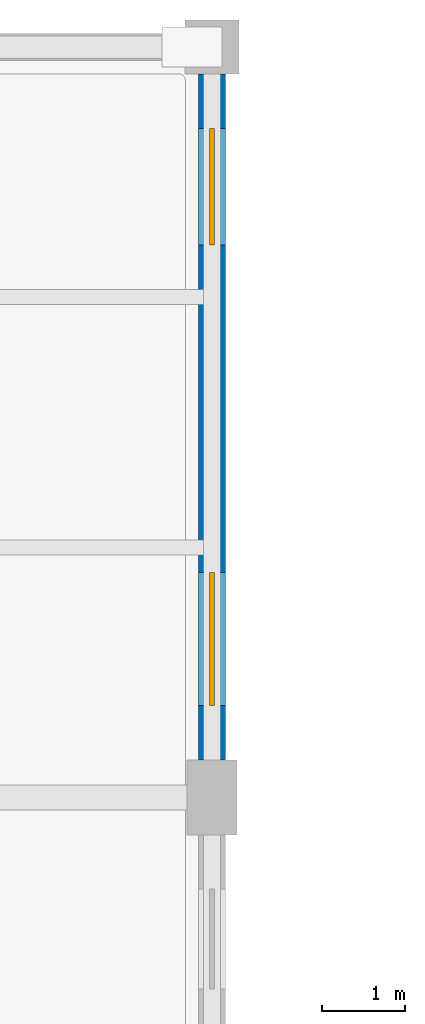
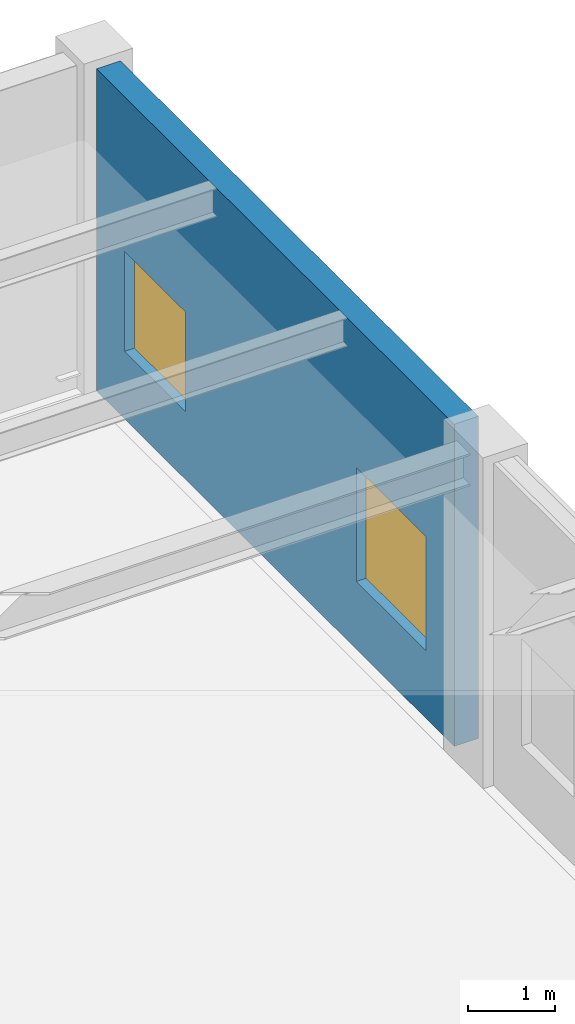
# One storey, part 55 of 72: 2 windows, 1 wall, 2 openings.
"""IFC4 building model written with IfcOpenShell, lengths in metres."""

from ifc_helpers import new_model, si_unit, direction, frame, frame_2d, origin, place, context, subcontext, project, spatial, rectangle, extrude, material, layer, layer_set, type_object, element, fill, save


model = new_model("IFC4")

# Units and contexts
model_context = context("Model", 3, precision=1e-05, world=origin(), true_north=direction((0.0, 1.0)))
body_context = subcontext(model_context, "Body", "Model", "MODEL_VIEW")
ifc_project = project(units=[si_unit("LENGTHUNIT", "METRE"), si_unit("AREAUNIT", "SQUARE_METRE"), si_unit("VOLUMEUNIT", "CUBIC_METRE"), si_unit("PLANEANGLEUNIT", "RADIAN"), si_unit("MASSUNIT", "GRAM", prefix="KILO")], contexts=[model_context])

# Site, building, storey
site_placement = place(None, origin())
site = spatial("IfcSite", under=ifc_project, at=site_placement, CompositionType="ELEMENT")
building_placement = place(site_placement, origin())
building = spatial("IfcBuilding", under=site, at=building_placement, Name="Keelwater Ferry Terminal", CompositionType="ELEMENT")
storey_placement = place(building_placement, frame((0.0, 0.0, 5.39990234375)))
storey = spatial("IfcBuildingStorey", under=building, at=storey_placement, Name="L01", CompositionType="ELEMENT", Elevation=5.39990234375)

# Wall, openings, windows
ifc_material_1 = material(Name="Precast concrete C40/50", Category="concrete")
ifc_layer = layer(ifc_material_1, 0.320068359375)
ifc_layer_set = layer_set([ifc_layer], Name="Precast concrete C40/50")
wall_type = type_object("IfcWallType", Name="EW-TC320 External Solid Wall 320", PredefinedType="SOLIDWALL", material=ifc_layer_set)
wall_placement = place(storey_placement, frame((180.0, 117.449951171875, 0.0), z_axis=(0.0, 0.0, 1.0), x_axis=(0.0, 1.0, 0.0)))
wall = element("IfcWall", 1, at=wall_placement, inside=storey, type_object=wall_type, Name="External Wall WL-L01-0086", PredefinedType="SOLIDWALL", context=body_context, shape_type="SweptSolid", body=[
    extrude(rectangle(XDim=8.22509765625, YDim=0.320068359375, at=frame_2d((4.112548828125, 0.0))), origin(), (0.0, 0.0, 1.0), 4.52001953125),
])
opening_1_placement = place(wall_placement, frame((0.64990234375, 0.0, 0.949951171875)))
opening_1 = element("IfcOpeningElement", 2, at=opening_1_placement, cuts=wall, Name="Opening WN-15", PredefinedType="OPENING", context=body_context, shape_type="SweptSolid", body=[
    extrude(rectangle(XDim=1.60009765625, YDim=1.60009765625, at=frame_2d((0.800048828125, 0.800048828125))), frame((0.0, 0.170166015625, 0.0), z_axis=(0.0, -1.0, 0.0), x_axis=(1.0, 0.0, 0.0)), (0.0, 0.0, 1.0), 0.340087890625),
])
opening_2_placement = place(wall_placement, frame((6.175048828125, 0.0, 0.949951171875)))
opening_2 = element("IfcOpeningElement", 3, at=opening_2_placement, cuts=wall, Name="Opening WN-16", PredefinedType="OPENING", context=body_context, shape_type="SweptSolid", body=[
    extrude(rectangle(XDim=1.39990234375, YDim=1.39990234375, at=frame_2d((0.699951171875, 0.699951171875))), frame((0.0, 0.170166015625, 0.0), z_axis=(0.0, -1.0, 0.0), x_axis=(1.0, 0.0, 0.0)), (0.0, 0.0, 1.0), 0.340087890625),
])
ifc_material_2 = material(Name="Triple low-E glass in thermally broken aluminium frame", Category="aluminium")
window_type_1 = type_object("IfcWindowType", Name="WN-15 Exterior Window 1600x1600", PartitioningType="SINGLE_PANEL", PredefinedType="WINDOW", material=ifc_material_2)
window_1_placement = place(opening_1_placement, origin())
window_1 = element("IfcWindow", 4, at=window_1_placement, inside=storey, type_object=window_type_1, Name="Window WN-L01-0047", OverallHeight=1.60009765625, OverallWidth=1.60009765625, PartitioningType="SINGLE_PANEL", PredefinedType="WINDOW", context=body_context, shape_type="SweptSolid", body=[
    extrude(rectangle(XDim=1.60009765625, YDim=1.60009765625, at=frame_2d((0.800048828125, 0.800048828125))), frame((0.0, 0.030029296875, 0.0), z_axis=(0.0, -1.0, 0.0), x_axis=(1.0, 0.0, 0.0)), (0.0, 0.0, 1.0), 0.06005859375),
])
fill(opening_1, window_1)
ifc_material_3 = material(Name="Triple low-E glass in thermally broken aluminium frame", Category="aluminium")
window_type_2 = type_object("IfcWindowType", Name="WN-16 Exterior Window 1400x1400", PartitioningType="SINGLE_PANEL", PredefinedType="WINDOW", material=ifc_material_3)
window_2_placement = place(opening_2_placement, origin())
window_2 = element("IfcWindow", 5, at=window_2_placement, inside=storey, type_object=window_type_2, Name="Window WN-L01-0048", OverallHeight=1.39990234375, OverallWidth=1.39990234375, PartitioningType="SINGLE_PANEL", PredefinedType="WINDOW", context=body_context, shape_type="SweptSolid", body=[
    extrude(rectangle(XDim=1.39990234375, YDim=1.39990234375, at=frame_2d((0.699951171875, 0.699951171875))), frame((0.0, 0.030029296875, 0.0), z_axis=(0.0, -1.0, 0.0), x_axis=(1.0, 0.0, 0.0)), (0.0, 0.0, 1.0), 0.06005859375),
])
fill(opening_2, window_2)

save(model, "model.ifc")
